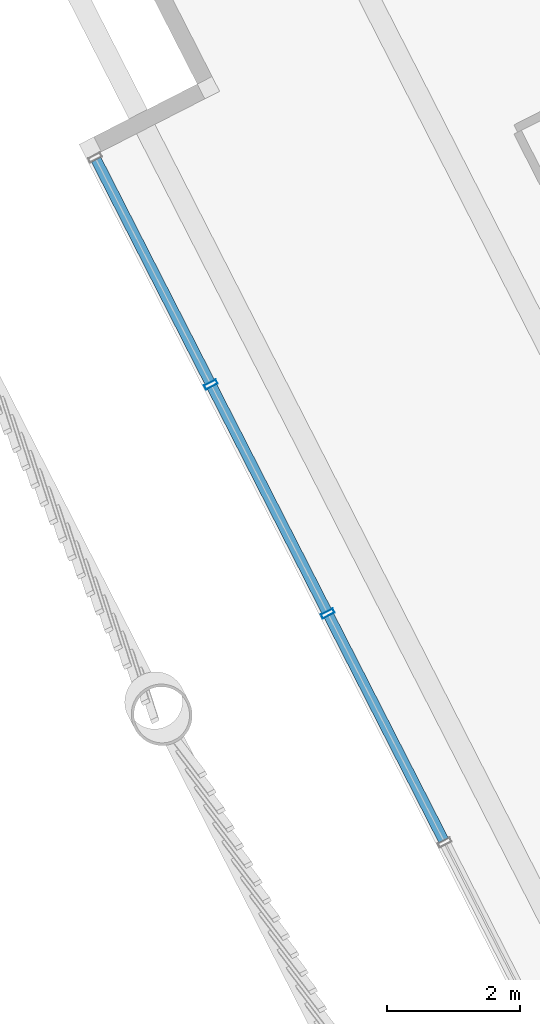
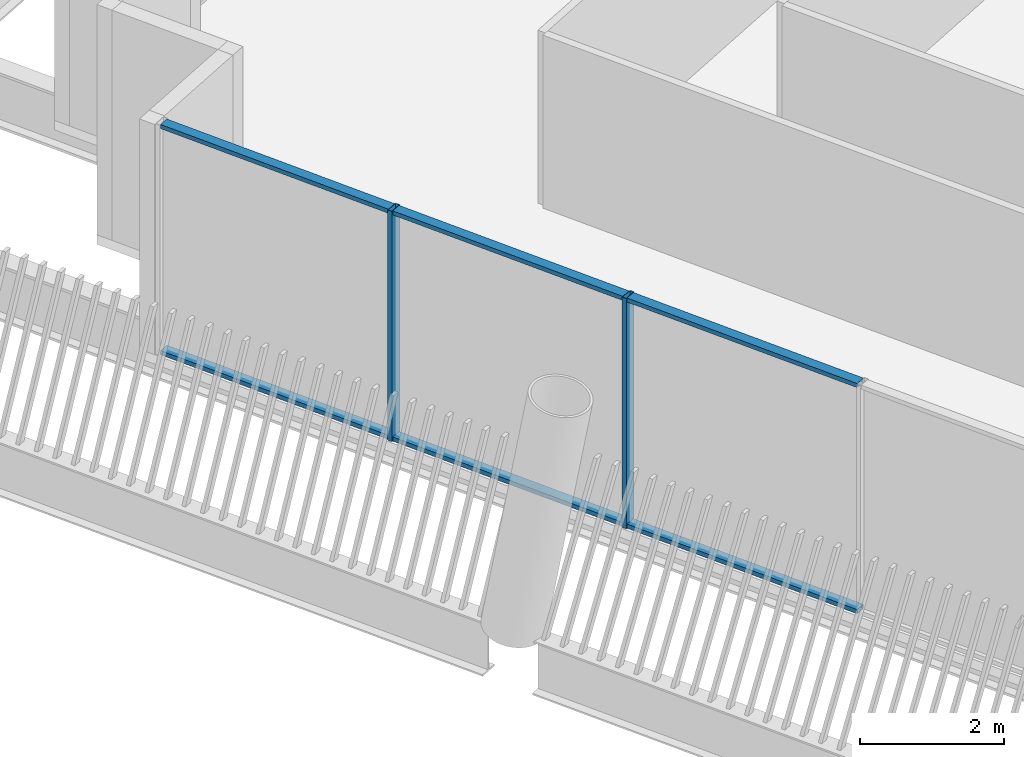
# One storey, part 4 of 28: 8 members, 1 element without a shape of its own.
"""IFC4 building model written with IfcOpenShell, lengths in metres."""

from ifc_helpers import new_model, si_unit, direction, frame, origin, origin_2d, place, context, subcontext, project, spatial, hollow_rectangle, extrude, material, layer, layer_set, material_profile, profile_set, type_object, element, aggregate, save


model = new_model("IFC4")

# Units and contexts
model_context = context("Model", 3, precision=1e-05, world=origin(), true_north=direction((0.0, 1.0)))
body_context = subcontext(model_context, "Body", "Model", "MODEL_VIEW")
ifc_project = project(units=[si_unit("LENGTHUNIT", "METRE"), si_unit("AREAUNIT", "SQUARE_METRE"), si_unit("VOLUMEUNIT", "CUBIC_METRE"), si_unit("PLANEANGLEUNIT", "RADIAN"), si_unit("MASSUNIT", "GRAM", prefix="KILO")], contexts=[model_context])

# Site, building, storey
site_placement = place(None, origin())
site = spatial("IfcSite", under=ifc_project, at=site_placement, CompositionType="ELEMENT")
building_placement = place(site_placement, origin())
building = spatial("IfcBuilding", under=site, at=building_placement, Name="Tarsis Ring Headquarters", CompositionType="ELEMENT")
storey_placement = place(building_placement, frame((0.0, 0.0, 394.39990234375)))
storey = spatial("IfcBuildingStorey", under=building, at=storey_placement, Name="L93", CompositionType="ELEMENT", Elevation=394.39990234375)

# Curtain wall, members
ifc_material_1 = material(Name="Aluminium curtain wall", Category="aluminium")
ifc_layer = layer(ifc_material_1, 0.199951171875)
ifc_layer_set = layer_set([ifc_layer], Name="Curtain wall executive tip")
curtain_wall_type = type_object("IfcCurtainWallType", Name="Curtain wall executive tip", PredefinedType="NOTDEFINED", material=ifc_layer_set)
curtain_wall_placement = place(storey_placement, origin())
curtain_wall = element("IfcCurtainWall", 1, at=curtain_wall_placement, inside=storey, type_object=curtain_wall_type, Name="Curtain wall L93-36", PredefinedType="NOTDEFINED")
ifc_material_2 = material(Name="Aluminium mullion", Category="aluminium")
ifc_material_profile_1 = material_profile(ifc_material_2, hollow_rectangle(XDim=0.199951171875, YDim=0.070068359375, WallThickness=0.0048828125, at=origin_2d()), Name="RHS 200x70x5")
ifc_profile_set_1 = profile_set([ifc_material_profile_1], Name="Aluminium mullion")
member_type_1 = type_object("IfcMemberType", Name="Curtain wall mullion executive tip RHS 200x70x5", PredefinedType="MULLION", material=ifc_profile_set_1)
member_1_placement = place(storey_placement, frame((-37.27783203125, -14.67626953125, 0.0), z_axis=(0.0, 0.0, 1.0), x_axis=(0.890689351281, 0.454612449801, 0.0)))
member_1 = element("IfcMember", 2, at=member_1_placement, type_object=member_type_1, Name="CW-E mullion 2", PredefinedType="MULLION", context=body_context, shape_type="SweptSolid", body=[
    extrude(hollow_rectangle(XDim=0.199951171875, YDim=0.070068359375, WallThickness=0.0048828125, at=origin_2d()), origin(), (0.0, 0.0, 1.0), 3.900146484375),
])
member_2_placement = place(storey_placement, frame((-35.516357421875, -18.127685546875, 0.0), z_axis=(0.0, 0.0, 1.0), x_axis=(0.890689351281, 0.454612449801, 0.0)))
member_2 = element("IfcMember", 3, at=member_2_placement, type_object=member_type_1, Name="CW-E mullion 3", PredefinedType="MULLION", context=body_context, shape_type="SweptSolid", body=[
    extrude(hollow_rectangle(XDim=0.199951171875, YDim=0.070068359375, WallThickness=0.0048828125, at=origin_2d()), origin(), (0.0, 0.0, 1.0), 3.900146484375),
])
ifc_material_3 = material(Name="Aluminium transom", Category="aluminium")
ifc_material_profile_2 = material_profile(ifc_material_3, hollow_rectangle(XDim=0.159912109375, YDim=0.070068359375, WallThickness=0.0048828125, at=origin_2d()), Name="RHS 160x70x5")
ifc_profile_set_2 = profile_set([ifc_material_profile_2], Name="Aluminium transom")
member_type_2 = type_object("IfcMemberType", Name="Curtain wall transom executive tip RHS 160x70x5", PredefinedType="USERDEFINED", material=ifc_profile_set_2)
member_3_placement = place(storey_placement, frame((-39.007568359375, -11.287109375, 0.03515625), z_axis=(0.454606659383, -0.890692306717, 0.0), x_axis=(0.890692306717, 0.454606659383, 0.0)))
member_3 = element("IfcMember", 4, at=member_3_placement, type_object=member_type_2, Name="CW-E transom 1.1", ObjectType="TRANSOM", PredefinedType="USERDEFINED", context=body_context, shape_type="SweptSolid", body=[
    extrude(hollow_rectangle(XDim=0.159912109375, YDim=0.070068359375, WallThickness=0.0048828125, at=origin_2d()), origin(), (0.0, 0.0, 1.0), 3.77001953125),
])
member_4_placement = place(storey_placement, frame((-39.007568359375, -11.287109375, 3.864990234375), z_axis=(0.454606659383, -0.890692306717, 0.0), x_axis=(0.890692306717, 0.454606659383, 0.0)))
member_4 = element("IfcMember", 5, at=member_4_placement, type_object=member_type_2, Name="CW-E transom 1.2", ObjectType="TRANSOM", PredefinedType="USERDEFINED", context=body_context, shape_type="SweptSolid", body=[
    extrude(hollow_rectangle(XDim=0.159912109375, YDim=0.070068359375, WallThickness=0.0048828125, at=origin_2d()), origin(), (0.0, 0.0, 1.0), 3.77001953125),
])
member_5_placement = place(storey_placement, frame((-37.261962890625, -14.70751953125, 0.03515625), z_axis=(0.454615801081, -0.890687640763, 0.0), x_axis=(0.890687640763, 0.454615801081, 0.0)))
member_5 = element("IfcMember", 6, at=member_5_placement, type_object=member_type_2, Name="CW-E transom 2.1", ObjectType="TRANSOM", PredefinedType="USERDEFINED", context=body_context, shape_type="SweptSolid", body=[
    extrude(hollow_rectangle(XDim=0.159912109375, YDim=0.070068359375, WallThickness=0.0048828125, at=origin_2d()), origin(), (0.0, 0.0, 1.0), 3.804931640625),
])
member_6_placement = place(storey_placement, frame((-37.261962890625, -14.70751953125, 3.864990234375), z_axis=(0.454615801081, -0.890687640763, 0.0), x_axis=(0.890687640763, 0.454615801081, 0.0)))
member_6 = element("IfcMember", 7, at=member_6_placement, type_object=member_type_2, Name="CW-E transom 2.2", ObjectType="TRANSOM", PredefinedType="USERDEFINED", context=body_context, shape_type="SweptSolid", body=[
    extrude(hollow_rectangle(XDim=0.159912109375, YDim=0.070068359375, WallThickness=0.0048828125, at=origin_2d()), origin(), (0.0, 0.0, 1.0), 3.804931640625),
])
member_7_placement = place(storey_placement, frame((-35.500244140625, -18.158935546875, 0.03515625), z_axis=(0.454615801081, -0.890687640763, 0.0), x_axis=(0.890687640763, 0.454615801081, 0.0)))
member_7 = element("IfcMember", 8, at=member_7_placement, type_object=member_type_2, Name="CW-E transom 3.1", ObjectType="TRANSOM", PredefinedType="USERDEFINED", context=body_context, shape_type="SweptSolid", body=[
    extrude(hollow_rectangle(XDim=0.159912109375, YDim=0.070068359375, WallThickness=0.0048828125, at=origin_2d()), origin(), (0.0, 0.0, 1.0), 3.804931640625),
])
member_8_placement = place(storey_placement, frame((-35.500244140625, -18.158935546875, 3.864990234375), z_axis=(0.454615801081, -0.890687640763, 0.0), x_axis=(0.890687640763, 0.454615801081, 0.0)))
member_8 = element("IfcMember", 9, at=member_8_placement, type_object=member_type_2, Name="CW-E transom 3.2", ObjectType="TRANSOM", PredefinedType="USERDEFINED", context=body_context, shape_type="SweptSolid", body=[
    extrude(hollow_rectangle(XDim=0.159912109375, YDim=0.070068359375, WallThickness=0.0048828125, at=origin_2d()), origin(), (0.0, 0.0, 1.0), 3.804931640625),
])
aggregate(curtain_wall, [member_1, member_2, member_3, member_4, member_5, member_6, member_7, member_8])

save(model, "model.ifc")
